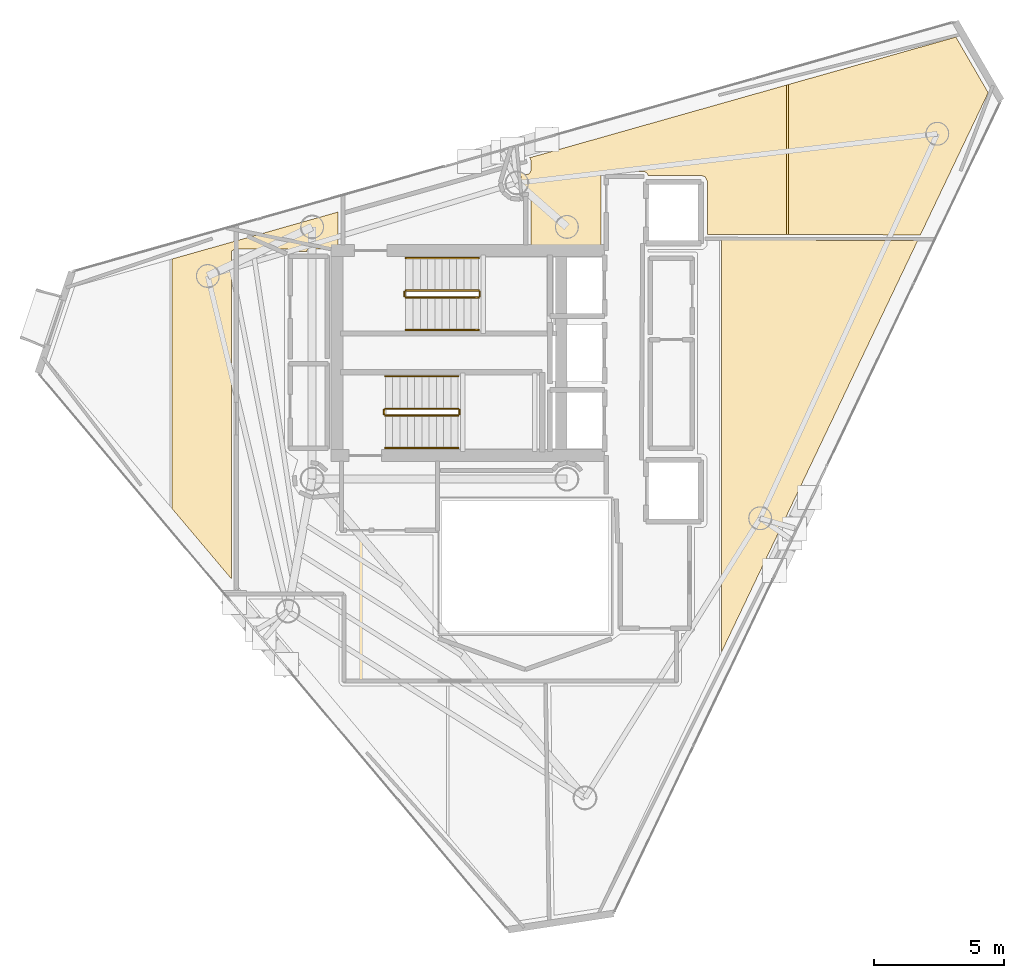
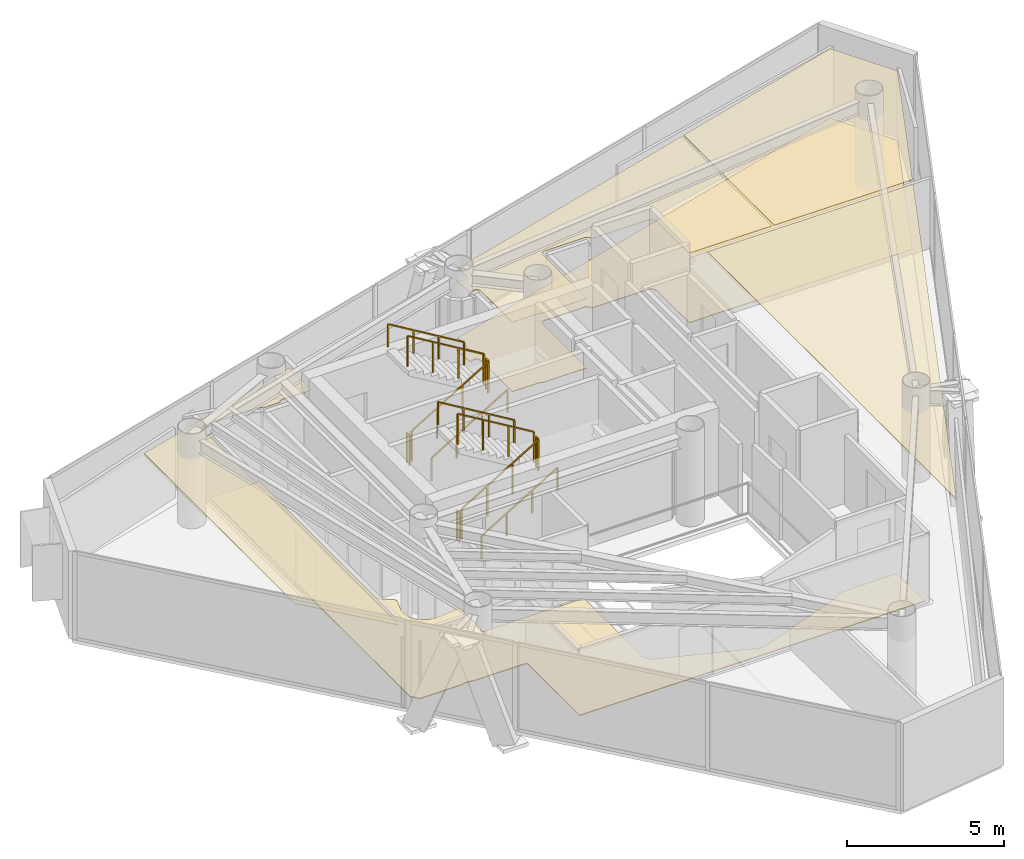
# One storey, part 20 of 20: 12 railings, 6 coverings.
"""IFC4 building model written with IfcOpenShell, lengths in metres."""

import ifcopenshell
import ifcopenshell.guid

model = None  # the IFC model being written
_history = None  # IfcOwnerHistory: only IFC2X3 demands one
_inside = {}  # id of a spatial element -> (the spatial element, [elements in it])
_under = {}  # id of a project, library or spatial element -> (it, [spatial elements below it])
_declared = {}  # id of a project -> (the project, [libraries it declares])
_typed = {}  # id of a type object -> (the type object, [elements of that type])
_made_of = {}  # id of a material, layer set ... -> (it, [elements and type objects made of it])


def new_model(schema):
    """Start an empty IFC model of exactly this schema.

    Asked for "IFC4X3", IfcOpenShell would pick the latest addendum, in which some entities
    have other attributes; the version numbers below select the first issue.
    IFC2X3 requires an IfcOwnerHistory on every rooted entity: one is made here for all.
    """
    global model, _history
    if schema == "IFC4X3":
        model = ifcopenshell.file(schema_version=(4, 3, 0, 0))
    else:
        model = ifcopenshell.file(schema=schema)
    _inside.clear()
    _under.clear()
    _declared.clear()
    _typed.clear()
    _made_of.clear()
    _history = None
    if model.schema == "IFC2X3":
        org = make("IfcOrganization", Name="unknown")
        user = make(
            "IfcPersonAndOrganization",
            ThePerson=make("IfcPerson", FamilyName="unknown"),
            TheOrganization=org,
        )
        app = make(
            "IfcApplication",
            ApplicationDeveloper=org,
            Version="unknown",
            ApplicationFullName="unknown",
            ApplicationIdentifier="unknown",
        )
        _history = make(
            "IfcOwnerHistory",
            OwningUser=user,
            OwningApplication=app,
            ChangeAction="ADDED",
            CreationDate=0,
        )
    return model


def make(cls, **values):
    """One entity of the class cls with the attributes given. An attribute that is None is left unset."""
    return model.create_entity(
        cls, **{name: value for name, value in values.items() if value is not None}
    )


def rooted(cls, **values):
    """An entity with a GlobalId (a new one), such as an element, a storey or a relation."""
    return make(cls, GlobalId=ifcopenshell.guid.new(), OwnerHistory=_history, **values)


def si_unit(unit_type, name, prefix=None):
    """IfcSIUnit, for example si_unit("LENGTHUNIT", "METRE", prefix="MILLI")."""
    return make("IfcSIUnit", UnitType=unit_type, Prefix=prefix, Name=name)


def assignment(units):
    """IfcUnitAssignment: the units of a project."""
    return None if units is None else make("IfcUnitAssignment", Units=units)


def point(xyz):
    """IfcCartesianPoint."""
    return None if xyz is None else make("IfcCartesianPoint", Coordinates=xyz)


def direction(xyz):
    """IfcDirection."""
    return None if xyz is None else make("IfcDirection", DirectionRatios=xyz)


def frame(location, z_axis=None, x_axis=None):
    """IfcAxis2Placement3D, a coordinate frame: its origin and axes. An axis left out is left unset."""
    return make(
        "IfcAxis2Placement3D",
        Location=point(location),
        Axis=direction(z_axis),
        RefDirection=direction(x_axis),
    )


def frame_2d(location, x_axis=None):
    """IfcAxis2Placement2D, a coordinate frame in the plane: its origin and x axis."""
    return make(
        "IfcAxis2Placement2D", Location=point(location), RefDirection=direction(x_axis)
    )


def origin():
    """The frame at (0, 0, 0) with its axes left unset."""
    return frame((0.0, 0.0, 0.0))


def origin_2d():
    """The frame at (0, 0) in the plane with its x axis left unset."""
    return frame_2d((0.0, 0.0))


def place(relative_to, where):
    """IfcLocalPlacement: puts the frame where relative to a parent placement (None: the world)."""
    return make(
        "IfcLocalPlacement", PlacementRelTo=relative_to, RelativePlacement=where
    )


def context(
    kind, dimensions, precision=None, world=None, true_north=None, identifier=None
):
    """IfcGeometricRepresentationContext, for example the 3D "Model" context."""
    return make(
        "IfcGeometricRepresentationContext",
        ContextIdentifier=identifier,
        ContextType=kind,
        CoordinateSpaceDimension=dimensions,
        Precision=precision,
        WorldCoordinateSystem=world,
        TrueNorth=true_north,
    )


def subcontext(parent, identifier, kind, view, scale=None):
    """IfcGeometricRepresentationSubContext, for example "Body" below "Model"."""
    return make(
        "IfcGeometricRepresentationSubContext",
        ContextIdentifier=identifier,
        ContextType=kind,
        ParentContext=parent,
        TargetScale=scale,
        TargetView=view,
    )


def project(units=None, contexts=None):
    """IfcProject with its units and contexts."""
    return rooted(
        "IfcProject",
        Name="project",
        RepresentationContexts=contexts,
        UnitsInContext=assignment(units),
    )


def spatial(cls, under=None, at=None, **own):
    """A site, building, storey or space (cls), placed at a placement, below another one or the project."""
    s = rooted(cls, ObjectPlacement=at, **own)
    if under is not None:
        _under.setdefault(under.id(), (under, []))[1].append(s)
    return s


def polyline(points):
    """IfcPolyline through the points."""
    return make("IfcPolyline", Points=[point(p) for p in points])


def profile(cls, at=None, kind="AREA", **sizes):
    """A parametric profile (cls). Its sizes go by their IFC names, for example OverallWidth=200.0."""
    return make(cls, ProfileType=kind, Position=at, **sizes)


def rectangle(**sizes):
    """IfcRectangleProfileDef."""
    return profile("IfcRectangleProfileDef", **sizes)


def outline(outer, holes=None, kind="AREA"):
    """IfcArbitraryClosedProfileDef: a profile drawn as a closed curve; with holes, ...WithVoids."""
    if holes is None:
        return make("IfcArbitraryClosedProfileDef", ProfileType=kind, OuterCurve=outer)
    return make(
        "IfcArbitraryProfileDefWithVoids",
        ProfileType=kind,
        OuterCurve=outer,
        InnerCurves=holes,
    )


def extrude(swept, where, along, depth):
    """IfcExtrudedAreaSolid: the profile swept, set in the frame where, extruded along a direction by depth."""
    return make(
        "IfcExtrudedAreaSolid",
        SweptArea=swept,
        Position=where,
        ExtrudedDirection=direction(along),
        Depth=depth,
    )


def shape(context_of_items, identifier, shape_type, items):
    """IfcShapeRepresentation: the items that make up one representation, for example the "Body"."""
    return make(
        "IfcShapeRepresentation",
        ContextOfItems=context_of_items,
        RepresentationIdentifier=identifier,
        RepresentationType=shape_type,
        Items=items,
    )


def material(Name=None, Category=None):
    """IfcMaterial."""
    return make("IfcMaterial", Name=Name, Category=Category)


def layer(
    of_material, thickness, ventilated=None, Name=None, Category=None, Priority=None
):
    """IfcMaterialLayer: one layer of a wall or slab, of a material (None: an air gap)."""
    return make(
        "IfcMaterialLayer",
        Material=of_material,
        LayerThickness=thickness,
        IsVentilated=ventilated,
        Name=Name,
        Category=Category,
        Priority=Priority,
    )


def layer_set(layers, Name=None):
    """IfcMaterialLayerSet."""
    return make("IfcMaterialLayerSet", MaterialLayers=layers, LayerSetName=Name)


def made_of(thing, what):
    """Note that an element or type object is made of a material, layer set ...; save() writes the relation."""
    if what is not None:
        _made_of.setdefault(what.id(), (what, []))[1].append(thing)
    return thing


def type_object(cls, material=None, **own):
    """A type object (cls), such as IfcWallType, which elements share."""
    return made_of(rooted(cls, **own), material)


def element(
    cls,
    number,
    at=None,
    inside=None,
    cuts=None,
    type_object=None,
    material=None,
    context=None,
    identifier="Body",
    shape_type=None,
    held_by="IfcProductDefinitionShape",
    body=None,
    shapes=None,
    **own,
):
    """One element of the class cls, such as IfcWall. Its Tag is "e" and its number.

    at: its placement. inside: the storey or other place that contains it. cuts: it is an
    opening in that element (IfcRelVoidsElement). A single representation is given by context,
    identifier, shape_type and body (its items); several are given by shapes. held_by: the class
    of the entity that holds the representations. save() writes the other relations.
    """
    e = rooted(cls, Tag="e%d" % number, ObjectPlacement=at, **own)
    if body is not None:
        shapes = [shape(context, identifier, shape_type, body)]
    if shapes is not None:
        e.Representation = make(held_by, Representations=shapes)
    if inside is not None:
        _inside.setdefault(inside.id(), (inside, []))[1].append(e)
    if cuts is not None:
        rooted(
            "IfcRelVoidsElement", RelatingBuildingElement=cuts, RelatedOpeningElement=e
        )
    if type_object is not None:
        _typed.setdefault(type_object.id(), (type_object, []))[1].append(e)
    return made_of(e, material)


def aggregate(whole, parts):
    """IfcRelAggregates: a whole, such as a stair, and the parts it consists of."""
    return rooted("IfcRelAggregates", RelatingObject=whole, RelatedObjects=parts)


def save(model, path):
    """Write the relations noted so far, then the file.

    IfcRelAggregates (storeys below a building ...), IfcRelContainedInSpatialStructure (elements
    in a storey), IfcRelDefinesByType, IfcRelAssociatesMaterial and IfcRelDeclares: one each for
    every whole, place, type object, material and project.
    """
    for whole, parts in _under.values():
        aggregate(whole, parts)
    for where, things in _inside.values():
        rooted(
            "IfcRelContainedInSpatialStructure",
            RelatedElements=things,
            RelatingStructure=where,
        )
    for kind, things in _typed.values():
        rooted("IfcRelDefinesByType", RelatedObjects=things, RelatingType=kind)
    for what, things in _made_of.values():
        rooted("IfcRelAssociatesMaterial", RelatedObjects=things, RelatingMaterial=what)
    for by, libraries in _declared.values():
        rooted("IfcRelDeclares", RelatingContext=by, RelatedDefinitions=libraries)
    model.write(path)


model = new_model("IFC4")

# Units and contexts
model_context = context("Model", 3, precision=1e-05, world=origin(), true_north=direction((0.0, 1.0)))
body_context = subcontext(model_context, "Body", "Model", "MODEL_VIEW")
ifc_project = project(units=[si_unit("LENGTHUNIT", "METRE"), si_unit("AREAUNIT", "SQUARE_METRE"), si_unit("VOLUMEUNIT", "CUBIC_METRE"), si_unit("PLANEANGLEUNIT", "RADIAN"), si_unit("MASSUNIT", "GRAM", prefix="KILO")], contexts=[model_context])

# Site, building, storey
site_placement = place(None, origin())
site = spatial("IfcSite", under=ifc_project, at=site_placement, CompositionType="ELEMENT")
building_placement = place(site_placement, origin())
building = spatial("IfcBuilding", under=site, at=building_placement, Name="Qianvela Tower", CompositionType="ELEMENT")
storey_placement = place(building_placement, frame((0.0, 0.0, 317.60009765625)))
storey = spatial("IfcBuildingStorey", under=building, at=storey_placement, Name="L82", CompositionType="ELEMENT", Elevation=317.60009765625)

# Coverings
ifc_material_1 = material(Name="Perforated Mineral Acoustic Ceiling Tile")
ifc_layer_1 = layer(ifc_material_1, 0.02490234375)
ifc_layer_set_1 = layer_set([ifc_layer_1], Name="Perforated Mineral Acoustic Ceiling Tile")
covering_type_1 = type_object("IfcCoveringType", Name="COV-CEIL-ACOUSTIC-25", PredefinedType="CEILING", material=ifc_layer_set_1)
covering_1_placement = place(storey_placement, frame((0.0, 0.0, 2.69482421875)))
element("IfcCovering", 1, at=covering_1_placement, inside=storey, type_object=covering_type_1, Name="L82 Acoustic Ceiling Bay 2 Project Huddle Conference L82-02", PredefinedType="CEILING", context=body_context, shape_type="SweptSolid", body=[
    extrude(outline(polyline([(51.89599609375, 33.02978515625), (44.346435546875, 17.192138671875), (44.346435546875, 33.0458984375), (51.89599609375, 33.02978515625)])), origin(), (0.0, 0.0, 1.0), 0.025146484375),
])
covering_2_placement = place(storey_placement, frame((0.0, 0.0, 2.69482421875)))
element("IfcCovering", 2, at=covering_2_placement, inside=storey, type_object=covering_type_1, Name="L82 Acoustic Ceiling Bay 2 Social Sitting Lounge L82-03", PredefinedType="CEILING", context=body_context, shape_type="SweptSolid", body=[
    extrude(outline(polyline([(29.603515625, 34.115966796875), (29.59033203125, 32.7275390625), (29.552978515625, 32.7001953125), (28.54296875, 32.709716796875), (28.53662109375, 32.70947265625), (28.530029296875, 32.708740234375), (28.4677734375, 32.69921875), (28.460205078125, 32.697509765625), (28.452880859375, 32.6953125), (28.446044921875, 32.6923828125), (28.439208984375, 32.688720703125), (28.432861328125, 32.6845703125), (28.427001953125, 32.6796875), (28.42138671875, 32.674560546875), (28.41650390625, 32.668701171875), (28.412109375, 32.662353515625), (28.408447265625, 32.65576171875), (28.405517578125, 32.648681640625), (28.403076171875, 32.6416015625), (28.4013671875, 32.634033203125), (28.400390625, 32.62646484375), (28.39892578125, 32.609619140625), (27.7626953125, 32.607666015625), (27.759521484375, 32.6201171875), (27.757080078125, 32.62744140625), (27.754150390625, 32.634765625), (27.75048828125, 32.6416015625), (27.74609375, 32.648193359375), (27.7412109375, 32.654296875), (27.735595703125, 32.659912109375), (27.7294921875, 32.6650390625), (27.722900390625, 32.66943359375), (27.716064453125, 32.673095703125), (27.654296875, 32.702392578125), (27.647705078125, 32.705078125), (27.64111328125, 32.707275390625), (27.634033203125, 32.708740234375), (27.627197265625, 32.709716796875), (27.6201171875, 32.7099609375), (25.64990234375, 32.7099609375), (25.642578125, 32.709716796875), (25.635498046875, 32.708740234375), (25.62841796875, 32.70703125), (25.62158203125, 32.70458984375), (25.61474609375, 32.701904296875), (25.6083984375, 32.6982421875), (25.602294921875, 32.6943359375), (25.52587890625, 32.637451171875), (25.519287109375, 32.632080078125), (25.513671875, 32.626220703125), (25.50830078125, 32.619873046875), (25.50390625, 32.61279296875), (25.500244140625, 32.60546875), (25.497314453125, 32.59765625), (25.4951171875, 32.589599609375), (25.493896484375, 32.58154296875), (25.493408203125, 32.5732421875), (25.489990234375, 20.01806640625), (23.212890625, 22.71630859375), (23.212890625, 32.3173828125), (29.59619140625, 34.12451171875), (29.603515625, 34.115966796875)])), origin(), (0.0, 0.0, 1.0), 0.025146484375),
])
covering_3_placement = place(storey_placement, frame((0.0, 0.0, 2.69482421875)))
element("IfcCovering", 3, at=covering_3_placement, inside=storey, type_object=covering_type_1, Name="L82 Acoustic Ceiling Bay 1 Commons Day Lounge L82-04", PredefinedType="CEILING", context=body_context, shape_type="SweptSolid", body=[
    extrude(outline(polyline([(46.842041015625, 39.0068359375), (46.842041015625, 33.26025390625), (43.800048828125, 33.268798828125), (43.800048828125, 35.300048828125), (43.799560546875, 35.307861328125), (43.798583984375, 35.315673828125), (43.796630859375, 35.3232421875), (43.7939453125, 35.33056640625), (43.79052734375, 35.337646484375), (43.728271484375, 35.4541015625), (43.724365234375, 35.4609375), (43.719482421875, 35.46728515625), (43.71435546875, 35.472900390625), (43.70849609375, 35.478271484375), (43.7021484375, 35.48291015625), (43.695556640625, 35.487060546875), (43.6884765625, 35.490234375), (43.680908203125, 35.492919921875), (43.603271484375, 35.5166015625), (43.595703125, 35.5185546875), (43.587890625, 35.51953125), (43.580078125, 35.52001953125), (41.515625, 35.52001953125), (41.513916015625, 35.554931640625), (41.512939453125, 35.562744140625), (41.511474609375, 35.5703125), (41.509033203125, 35.577880859375), (41.506103515625, 35.585205078125), (41.50244140625, 35.591796875), (41.498046875, 35.598388671875), (41.4931640625, 35.6044921875), (41.487548828125, 35.60986328125), (41.481689453125, 35.614990234375), (41.41552734375, 35.663818359375), (41.408447265625, 35.668701171875), (41.40087890625, 35.672607421875), (41.392822265625, 35.675537109375), (41.384765625, 35.677734375), (41.37646484375, 35.67919921875), (41.367919921875, 35.6796875), (39.8798828125, 35.679931640625), (39.872314453125, 35.6796875), (39.864501953125, 35.678466796875), (39.856689453125, 35.676513671875), (39.849365234375, 35.673828125), (39.792724609375, 35.650390625), (39.78564453125, 35.647216796875), (39.779052734375, 35.64306640625), (39.772705078125, 35.638427734375), (39.766845703125, 35.633056640625), (39.76171875, 35.627197265625), (39.7568359375, 35.62109375), (39.7529296875, 35.6142578125), (39.74951171875, 35.607177734375), (39.72607421875, 35.550537109375), (39.723388671875, 35.543212890625), (39.721435546875, 35.53564453125), (39.720458984375, 35.52783203125), (39.719970703125, 35.52001953125), (39.719970703125, 32.719970703125), (38.125, 32.719970703125), (38.03369140625, 32.762451171875), (38.025634765625, 32.765625), (38.017333984375, 32.76806640625), (38.0087890625, 32.76953125), (38.0, 32.77001953125), (37.010009765625, 32.77001953125), (37.009521484375, 34.772705078125), (37.00927734375, 34.78076171875), (37.008056640625, 34.78857421875), (37.006103515625, 34.79638671875), (37.003173828125, 34.803955078125), (36.999755859375, 34.811279296875), (36.969482421875, 34.865966796875), (36.965576171875, 34.87255859375), (36.961181640625, 34.87841796875), (36.9560546875, 34.884033203125), (36.950439453125, 34.88916015625), (36.9443359375, 34.893798828125), (36.93798828125, 34.897705078125), (36.93115234375, 34.90087890625), (36.92431640625, 34.903564453125), (36.87158203125, 34.920654296875), (36.8642578125, 34.922607421875), (36.8564453125, 34.924072265625), (36.8486328125, 34.924560546875), (36.8408203125, 34.92431640625), (36.8330078125, 34.92333984375), (36.825439453125, 34.921630859375), (36.818115234375, 34.919189453125), (36.684814453125, 34.8671875), (36.611083984375, 35.656982421875), (36.78955078125, 35.573486328125), (36.79638671875, 35.57080078125), (36.803466796875, 35.568603515625), (36.810791015625, 35.56689453125), (36.818115234375, 35.566162109375), (36.82568359375, 35.56591796875), (36.8330078125, 35.56640625), (36.84033203125, 35.56787109375), (36.922607421875, 35.585693359375), (36.93017578125, 35.587646484375), (36.937744140625, 35.590576171875), (36.94482421875, 35.59423828125), (36.95166015625, 35.598388671875), (36.9580078125, 35.603515625), (36.9638671875, 35.60888671875), (36.968994140625, 35.614990234375), (36.9736328125, 35.621826171875), (36.9775390625, 35.62890625), (37.001708984375, 35.678466796875), (37.00439453125, 35.68505859375), (37.006591796875, 35.69189453125), (37.00830078125, 35.698974609375), (37.00927734375, 35.7060546875), (37.009521484375, 35.71337890625), (37.009521484375, 36.118408203125), (37.00927734375, 36.1259765625), (37.008056640625, 36.1337890625), (37.006103515625, 36.141357421875), (37.003662109375, 36.148681640625), (37.00048828125, 36.155517578125), (36.971923828125, 36.209228515625), (36.97021484375, 36.212158203125), (46.842041015625, 39.0068359375)])), origin(), (0.0, 0.0, 1.0), 0.025146484375),
])
covering_4_placement = place(storey_placement, frame((0.0, 0.0, 2.69482421875)))
element("IfcCovering", 4, at=covering_4_placement, inside=storey, type_object=covering_type_1, Name="L82 Acoustic Ceiling Bay 2 Commons Day Lounge L82-04", PredefinedType="CEILING", context=body_context, shape_type="SweptSolid", body=[
    extrude(outline(polyline([(53.362548828125, 40.852783203125), (54.60498046875, 38.712646484375), (51.9990234375, 33.24560546875), (46.922119140625, 33.260009765625), (46.922119140625, 39.029541015625), (53.362548828125, 40.852783203125)])), origin(), (0.0, 0.0, 1.0), 0.025146484375),
])
ifc_material_2 = material(Name="Engineered Acoustic Oak Timber Flooring", Category="wood")
ifc_layer_2 = layer(ifc_material_2, 0.02001953125)
ifc_layer_set_2 = layer_set([ifc_layer_2], Name="Engineered Acoustic Oak Timber Flooring")
covering_type_2 = type_object("IfcCoveringType", Name="COV-FLOOR-OAK-20", PredefinedType="FLOORING", material=ifc_layer_set_2)
covering_5_placement = place(storey_placement, origin())
element("IfcCovering", 5, at=covering_5_placement, inside=storey, type_object=covering_type_2, Name="L82 Finish Flooring Commons Day Lounge L82-04", PredefinedType="FLOORING", context=body_context, shape_type="SweptSolid", body=[
    extrude(outline(polyline([(36.97021484375, 36.212158203125), (53.362548828125, 40.852783203125), (54.60498046875, 38.712646484375), (51.9990234375, 33.24560546875), (43.800048828125, 33.268798828125), (43.800048828125, 35.300048828125), (43.799560546875, 35.307861328125), (43.798583984375, 35.315673828125), (43.796630859375, 35.3232421875), (43.7939453125, 35.33056640625), (43.79052734375, 35.337646484375), (43.728271484375, 35.4541015625), (43.724365234375, 35.4609375), (43.719482421875, 35.46728515625), (43.71435546875, 35.472900390625), (43.70849609375, 35.478271484375), (43.7021484375, 35.48291015625), (43.695556640625, 35.487060546875), (43.6884765625, 35.490234375), (43.680908203125, 35.492919921875), (43.603271484375, 35.5166015625), (43.595703125, 35.5185546875), (43.587890625, 35.51953125), (43.580078125, 35.52001953125), (41.515625, 35.52001953125), (41.513916015625, 35.554931640625), (41.512939453125, 35.562744140625), (41.511474609375, 35.5703125), (41.509033203125, 35.577880859375), (41.506103515625, 35.585205078125), (41.50244140625, 35.591796875), (41.498046875, 35.598388671875), (41.4931640625, 35.6044921875), (41.487548828125, 35.60986328125), (41.481689453125, 35.614990234375), (41.41552734375, 35.663818359375), (41.408447265625, 35.668701171875), (41.40087890625, 35.672607421875), (41.392822265625, 35.675537109375), (41.384765625, 35.677734375), (41.37646484375, 35.67919921875), (41.367919921875, 35.6796875), (39.8798828125, 35.679931640625), (39.872314453125, 35.6796875), (39.864501953125, 35.678466796875), (39.856689453125, 35.676513671875), (39.849365234375, 35.673828125), (39.792724609375, 35.650390625), (39.78564453125, 35.647216796875), (39.779052734375, 35.64306640625), (39.772705078125, 35.638427734375), (39.766845703125, 35.633056640625), (39.76171875, 35.627197265625), (39.7568359375, 35.62109375), (39.7529296875, 35.6142578125), (39.74951171875, 35.607177734375), (39.72607421875, 35.550537109375), (39.723388671875, 35.543212890625), (39.721435546875, 35.53564453125), (39.720458984375, 35.52783203125), (39.719970703125, 35.52001953125), (39.719970703125, 32.719970703125), (38.125, 32.719970703125), (38.03369140625, 32.762451171875), (38.025634765625, 32.765625), (38.017333984375, 32.76806640625), (38.0087890625, 32.76953125), (38.0, 32.77001953125), (37.010009765625, 32.77001953125), (37.009521484375, 34.772705078125), (37.00927734375, 34.78076171875), (37.008056640625, 34.78857421875), (37.006103515625, 34.79638671875), (37.003173828125, 34.803955078125), (36.999755859375, 34.811279296875), (36.969482421875, 34.865966796875), (36.965576171875, 34.87255859375), (36.961181640625, 34.87841796875), (36.9560546875, 34.884033203125), (36.950439453125, 34.88916015625), (36.9443359375, 34.893798828125), (36.93798828125, 34.897705078125), (36.93115234375, 34.90087890625), (36.92431640625, 34.903564453125), (36.87158203125, 34.920654296875), (36.8642578125, 34.922607421875), (36.8564453125, 34.924072265625), (36.8486328125, 34.924560546875), (36.8408203125, 34.92431640625), (36.8330078125, 34.92333984375), (36.825439453125, 34.921630859375), (36.818115234375, 34.919189453125), (36.684814453125, 34.8671875), (36.611083984375, 35.656982421875), (36.78955078125, 35.573486328125), (36.79638671875, 35.57080078125), (36.803466796875, 35.568603515625), (36.810791015625, 35.56689453125), (36.818115234375, 35.566162109375), (36.82568359375, 35.56591796875), (36.8330078125, 35.56640625), (36.84033203125, 35.56787109375), (36.922607421875, 35.585693359375), (36.93017578125, 35.587646484375), (36.937744140625, 35.590576171875), (36.94482421875, 35.59423828125), (36.95166015625, 35.598388671875), (36.9580078125, 35.603515625), (36.9638671875, 35.60888671875), (36.968994140625, 35.614990234375), (36.9736328125, 35.621826171875), (36.9775390625, 35.62890625), (37.001708984375, 35.678466796875), (37.00439453125, 35.68505859375), (37.006591796875, 35.69189453125), (37.00830078125, 35.698974609375), (37.00927734375, 35.7060546875), (37.009521484375, 35.71337890625), (37.009521484375, 36.118408203125), (37.00927734375, 36.1259765625), (37.008056640625, 36.1337890625), (37.006103515625, 36.141357421875), (37.003662109375, 36.148681640625), (37.00048828125, 36.155517578125), (36.971923828125, 36.209228515625), (36.97021484375, 36.212158203125)])), origin(), (0.0, 0.0, 1.0), 0.02001953125),
])
ifc_material_3 = material(Name="Honed Stone Terrazzo Flooring", Category="masonry")
ifc_layer_3 = layer(ifc_material_3, 0.030029296875)
ifc_layer_set_3 = layer_set([ifc_layer_3], Name="Honed Stone Terrazzo Flooring")
covering_type_3 = type_object("IfcCoveringType", Name="COV-FLOOR-TERRAZZO-30", PredefinedType="FLOORING", material=ifc_layer_set_3)
covering_6_placement = place(storey_placement, origin())
element("IfcCovering", 6, at=covering_6_placement, inside=storey, type_object=covering_type_3, Name="L82 Finish Flooring L82 Floor Corridor", PredefinedType="FLOORING", context=body_context, shape_type="SweptSolid", body=[
    extrude(outline(polyline([(25.72998046875, 32.469970703125), (27.5400390625, 32.469970703125), (27.5400390625, 25.04638671875), (27.540283203125, 25.038818359375), (27.54150390625, 25.03125), (27.543212890625, 25.023681640625), (27.545654296875, 25.0166015625), (27.548828125, 25.009765625), (27.552734375, 25.003173828125), (27.61328125, 24.90869140625), (27.61767578125, 24.90283203125), (27.622314453125, 24.8974609375), (27.62744140625, 24.892333984375), (27.633056640625, 24.8876953125), (28.042236328125, 24.584228515625), (27.8662109375, 24.00390625), (27.864501953125, 23.996337890625), (27.86328125, 23.988525390625), (27.850341796875, 23.85791015625), (27.85009765625, 23.85009765625), (27.850341796875, 23.84228515625), (27.8515625, 23.83447265625), (27.902587890625, 23.577880859375), (27.904296875, 23.5703125), (27.906982421875, 23.56298828125), (27.910400390625, 23.555908203125), (27.91455078125, 23.54931640625), (28.059814453125, 23.331787109375), (28.064453125, 23.325439453125), (28.069580078125, 23.319580078125), (28.075439453125, 23.314453125), (28.081787109375, 23.309814453125), (28.29931640625, 23.16455078125), (28.305908203125, 23.160400390625), (28.31298828125, 23.156982421875), (28.3203125, 23.154296875), (28.327880859375, 23.152587890625), (28.58447265625, 23.1015625), (28.59228515625, 23.100341796875), (28.60009765625, 23.10009765625), (28.60791015625, 23.100341796875), (29.55810546875, 23.194091796875), (29.55810546875, 21.877685546875), (29.52001953125, 21.82958984375), (29.515380859375, 21.822998046875), (29.51171875, 21.81640625), (29.508544921875, 21.809326171875), (29.506103515625, 21.802001953125), (29.504150390625, 21.794189453125), (29.503173828125, 21.78662109375), (29.5029296875, 21.77880859375), (29.50341796875, 21.77099609375), (29.504638671875, 21.763427734375), (29.506591796875, 21.755859375), (29.50927734375, 21.74853515625), (29.5126953125, 21.74169921875), (29.516845703125, 21.735107421875), (29.521484375, 21.728759765625), (29.52685546875, 21.722900390625), (29.53271484375, 21.7177734375), (29.538818359375, 21.713134765625), (29.54541015625, 21.709228515625), (29.552490234375, 21.7060546875), (29.559814453125, 21.703369140625), (29.5673828125, 21.701416015625), (29.5751953125, 21.700439453125), (29.5830078125, 21.699951171875), (33.239990234375, 21.699951171875), (33.239990234375, 18.0), (33.240478515625, 17.990234375), (33.242431640625, 17.980712890625), (33.275390625, 17.8486328125), (33.277587890625, 17.841796875), (33.2802734375, 17.8349609375), (33.283447265625, 17.82861328125), (33.287353515625, 17.822509765625), (33.29150390625, 17.81689453125), (33.29638671875, 17.811279296875), (33.411376953125, 17.696533203125), (33.41796875, 17.690673828125), (33.42529296875, 17.685546875), (33.432861328125, 17.68115234375), (33.44091796875, 17.677734375), (36.77294921875, 16.482666015625), (36.780517578125, 16.48046875), (36.7880859375, 16.47900390625), (36.7958984375, 16.47802734375), (36.803955078125, 16.47802734375), (36.811767578125, 16.47900390625), (36.8193359375, 16.48046875), (36.826904296875, 16.482666015625), (40.134033203125, 17.666015625), (40.140869140625, 17.668701171875), (40.1474609375, 17.672119140625), (40.153564453125, 17.676025390625), (40.458740234375, 17.89306640625), (42.570068359375, 17.899658203125), (42.570068359375, 16.1298828125), (29.8798828125, 16.1298828125), (29.8798828125, 19.39990234375), (29.879638671875, 19.40771484375), (29.87841796875, 19.41552734375), (29.876708984375, 19.423095703125), (29.873779296875, 19.4306640625), (29.87060546875, 19.437744140625), (29.866455078125, 19.4443359375), (29.86181640625, 19.45068359375), (29.856689453125, 19.45654296875), (29.850830078125, 19.4619140625), (29.844482421875, 19.466552734375), (29.837646484375, 19.470703125), (29.83056640625, 19.473876953125), (29.8232421875, 19.4765625), (29.815673828125, 19.478515625), (29.807861328125, 19.4794921875), (29.800048828125, 19.47998046875), (27.910888671875, 19.47998046875), (27.684814453125, 19.522705078125), (27.677490234375, 19.523681640625), (27.669921875, 19.52392578125), (27.66259765625, 19.523681640625), (27.6552734375, 19.522705078125), (27.42919921875, 19.47998046875), (25.944091796875, 19.47998046875), (25.72998046875, 19.733642578125), (25.72998046875, 32.469970703125)])), origin(), (0.0, 0.0, 1.0), 0.02978515625),
])

# Railings
ifc_material_4 = material(Name="Painted Tubular Steel Q355B", Category="steel")
railing_type_1 = type_object("IfcRailingType", Name="RL-STAIR-GUARD-1200", PredefinedType="GUARDRAIL", material=ifc_material_4)
railing_1_placement = place(storey_placement, frame((32.199951171875, 30.840087890625, 0.16796875)))
element("IfcRailing", 7, at=railing_1_placement, inside=storey, type_object=railing_type_1, Name="L82 ST-1 stair guard 1", PredefinedType="GUARDRAIL", context=body_context, shape_type="SweptSolid", body=[
    extrude(rectangle(XDim=0.050048828125, YDim=0.0400390625, at=origin_2d()), frame((0.0, 0.0, 1.179931640625), z_axis=(0.857242210791, 0.0, 0.514913383045), x_axis=(0.0, 1.0, 0.0)), (0.0, 0.0, 1.0), 3.266357421875),
    extrude(rectangle(XDim=0.050048828125, YDim=0.050048828125, at=origin_2d()), origin(), (0.0, 0.0, 1.0), 1.159912109375),
    extrude(rectangle(XDim=0.050048828125, YDim=0.050048828125, at=origin_2d()), frame((0.933349609375, 0.0, 0.560546875)), (0.0, 0.0, 1.0), 1.159912109375),
    extrude(rectangle(XDim=0.050048828125, YDim=0.050048828125, at=origin_2d()), frame((1.86669921875, 0.0, 1.121337890625)), (0.0, 0.0, 1.0), 1.159912109375),
    extrude(rectangle(XDim=0.050048828125, YDim=0.050048828125, at=origin_2d()), frame((2.800048828125, 0.0, 1.681884765625)), (0.0, 0.0, 1.0), 1.159912109375),
])
railing_2_placement = place(storey_placement, frame((35.050048828125, 30.889892578125, 1.849853515625)))
element("IfcRailing", 8, at=railing_2_placement, inside=storey, type_object=railing_type_1, Name="L82 ST-1 stair guard 2", PredefinedType="GUARDRAIL", context=body_context, shape_type="SweptSolid", body=[
    extrude(rectangle(XDim=0.050048828125, YDim=0.0400390625, at=origin_2d()), frame((0.0, 0.0, 1.179931640625), z_axis=(0.0, 1.0, 0.0), x_axis=(-1.0, 0.0, 0.0)), (0.0, 0.0, 1.0), 0.16015625),
    extrude(rectangle(XDim=0.050048828125, YDim=0.050048828125, at=origin_2d()), origin(), (0.0, 0.0, 1.0), 1.159912109375),
    extrude(rectangle(XDim=0.050048828125, YDim=0.050048828125, at=origin_2d()), frame((0.0, 0.16015625, 0.0)), (0.0, 0.0, 1.0), 1.159912109375),
])
railing_3_placement = place(storey_placement, frame((35.0, 31.10009765625, 2.01806640625)))
element("IfcRailing", 9, at=railing_3_placement, inside=storey, type_object=railing_type_1, Name="L82 ST-1 stair guard 3", PredefinedType="GUARDRAIL", context=body_context, shape_type="SweptSolid", body=[
    extrude(rectangle(XDim=0.050048828125, YDim=0.0400390625, at=origin_2d()), frame((0.0, 0.0, 1.179931640625), z_axis=(-0.857242210791, 0.0, 0.514913383045), x_axis=(0.0, -1.0, 0.0)), (0.0, 0.0, 1.0), 3.266357421875),
    extrude(rectangle(XDim=0.050048828125, YDim=0.050048828125, at=origin_2d()), origin(), (0.0, 0.0, 1.0), 1.159912109375),
    extrude(rectangle(XDim=0.050048828125, YDim=0.050048828125, at=origin_2d()), frame((-0.933349609375, 0.0, 0.560546875)), (0.0, 0.0, 1.0), 1.159912109375),
    extrude(rectangle(XDim=0.050048828125, YDim=0.050048828125, at=origin_2d()), frame((-1.86669921875, 0.0, 1.121337890625)), (0.0, 0.0, 1.0), 1.159912109375),
    extrude(rectangle(XDim=0.050048828125, YDim=0.050048828125, at=origin_2d()), frame((-2.800048828125, 0.0, 1.681884765625)), (0.0, 0.0, 1.0), 1.159912109375),
])
railing_4_placement = place(storey_placement, frame((32.14990234375, 30.889892578125, 0.0)))
element("IfcRailing", 10, at=railing_4_placement, inside=storey, type_object=railing_type_1, Name="L82 ST-1 stair guard 4", PredefinedType="GUARDRAIL", context=body_context, shape_type="SweptSolid", body=[
    extrude(rectangle(XDim=0.050048828125, YDim=0.0400390625, at=origin_2d()), frame((0.0, 0.0, 1.179931640625), z_axis=(0.0, 1.0, 0.0), x_axis=(-1.0, 0.0, 0.0)), (0.0, 0.0, 1.0), 0.16015625),
    extrude(rectangle(XDim=0.050048828125, YDim=0.050048828125, at=origin_2d()), origin(), (0.0, 0.0, 1.0), 1.159912109375),
    extrude(rectangle(XDim=0.050048828125, YDim=0.050048828125, at=origin_2d()), frame((0.0, 0.16015625, 0.0)), (0.0, 0.0, 1.0), 1.159912109375),
])
railing_5_placement = place(storey_placement, frame((31.419921875, 26.300048828125, 0.16796875)))
element("IfcRailing", 11, at=railing_5_placement, inside=storey, type_object=railing_type_1, Name="L82 ST-2 stair guard 1", PredefinedType="GUARDRAIL", context=body_context, shape_type="SweptSolid", body=[
    extrude(rectangle(XDim=0.050048828125, YDim=0.0400390625, at=origin_2d()), frame((0.0, 0.0, 1.179931640625), z_axis=(0.857242210791, 0.0, 0.514913383045), x_axis=(0.0, 1.0, 0.0)), (0.0, 0.0, 1.0), 3.266357421875),
    extrude(rectangle(XDim=0.050048828125, YDim=0.050048828125, at=origin_2d()), origin(), (0.0, 0.0, 1.0), 1.159912109375),
    extrude(rectangle(XDim=0.050048828125, YDim=0.050048828125, at=origin_2d()), frame((0.933349609375, 0.0, 0.560546875)), (0.0, 0.0, 1.0), 1.159912109375),
    extrude(rectangle(XDim=0.050048828125, YDim=0.050048828125, at=origin_2d()), frame((1.86669921875, 0.0, 1.121337890625)), (0.0, 0.0, 1.0), 1.159912109375),
    extrude(rectangle(XDim=0.050048828125, YDim=0.050048828125, at=origin_2d()), frame((2.800048828125, 0.0, 1.681884765625)), (0.0, 0.0, 1.0), 1.159912109375),
])
railing_6_placement = place(storey_placement, frame((34.27001953125, 26.35009765625, 1.849853515625)))
element("IfcRailing", 12, at=railing_6_placement, inside=storey, type_object=railing_type_1, Name="L82 ST-2 stair guard 2", PredefinedType="GUARDRAIL", context=body_context, shape_type="SweptSolid", body=[
    extrude(rectangle(XDim=0.050048828125, YDim=0.0400390625, at=origin_2d()), frame((0.0, 0.0, 1.179931640625), z_axis=(0.0, 1.0, 0.0), x_axis=(-1.0, 0.0, 0.0)), (0.0, 0.0, 1.0), 0.159912109375),
    extrude(rectangle(XDim=0.050048828125, YDim=0.050048828125, at=origin_2d()), origin(), (0.0, 0.0, 1.0), 1.159912109375),
    extrude(rectangle(XDim=0.050048828125, YDim=0.050048828125, at=origin_2d()), frame((0.0, 0.159912109375, 0.0)), (0.0, 0.0, 1.0), 1.159912109375),
])
railing_7_placement = place(storey_placement, frame((34.219970703125, 26.56005859375, 2.01806640625)))
element("IfcRailing", 13, at=railing_7_placement, inside=storey, type_object=railing_type_1, Name="L82 ST-2 stair guard 3", PredefinedType="GUARDRAIL", context=body_context, shape_type="SweptSolid", body=[
    extrude(rectangle(XDim=0.050048828125, YDim=0.0400390625, at=origin_2d()), frame((0.0, 0.0, 1.179931640625), z_axis=(-0.857242210791, 0.0, 0.514913383045), x_axis=(0.0, -1.0, 0.0)), (0.0, 0.0, 1.0), 3.266357421875),
    extrude(rectangle(XDim=0.050048828125, YDim=0.050048828125, at=origin_2d()), origin(), (0.0, 0.0, 1.0), 1.159912109375),
    extrude(rectangle(XDim=0.050048828125, YDim=0.050048828125, at=origin_2d()), frame((-0.933349609375, 0.0, 0.560546875)), (0.0, 0.0, 1.0), 1.159912109375),
    extrude(rectangle(XDim=0.050048828125, YDim=0.050048828125, at=origin_2d()), frame((-1.86669921875, 0.0, 1.121337890625)), (0.0, 0.0, 1.0), 1.159912109375),
    extrude(rectangle(XDim=0.050048828125, YDim=0.050048828125, at=origin_2d()), frame((-2.800048828125, 0.0, 1.681884765625)), (0.0, 0.0, 1.0), 1.159912109375),
])
railing_8_placement = place(storey_placement, frame((31.3701171875, 26.35009765625, 0.0)))
element("IfcRailing", 14, at=railing_8_placement, inside=storey, type_object=railing_type_1, Name="L82 ST-2 stair guard 4", PredefinedType="GUARDRAIL", context=body_context, shape_type="SweptSolid", body=[
    extrude(rectangle(XDim=0.050048828125, YDim=0.0400390625, at=origin_2d()), frame((0.0, 0.0, 1.179931640625), z_axis=(0.0, 1.0, 0.0), x_axis=(-1.0, 0.0, 0.0)), (0.0, 0.0, 1.0), 0.159912109375),
    extrude(rectangle(XDim=0.050048828125, YDim=0.050048828125, at=origin_2d()), origin(), (0.0, 0.0, 1.0), 1.159912109375),
    extrude(rectangle(XDim=0.050048828125, YDim=0.050048828125, at=origin_2d()), frame((0.0, 0.159912109375, 0.0)), (0.0, 0.0, 1.0), 1.159912109375),
])
ifc_material_5 = material(Name="Brushed Stainless Steel 304", Category="steel")
railing_type_2 = type_object("IfcRailingType", Name="RL-STAIR-HANDRAIL-900", PredefinedType="HANDRAIL", material=ifc_material_5)
railing_9_placement = place(storey_placement, frame((32.199951171875, 29.590087890625, 0.16796875)))
element("IfcRailing", 15, at=railing_9_placement, inside=storey, type_object=railing_type_2, Name="L82 ST-1 stair handrail 1", PredefinedType="HANDRAIL", context=body_context, shape_type="SweptSolid", body=[
    extrude(rectangle(XDim=0.050048828125, YDim=0.0400390625, at=origin_2d()), frame((0.0, 0.0, 0.8798828125), z_axis=(0.857242210791, 0.0, 0.514913383045), x_axis=(0.0, 1.0, 0.0)), (0.0, 0.0, 1.0), 3.266357421875),
    extrude(rectangle(XDim=0.050048828125, YDim=0.050048828125, at=origin_2d()), origin(), (0.0, 0.0, 1.0), 0.85986328125),
    extrude(rectangle(XDim=0.050048828125, YDim=0.050048828125, at=origin_2d()), frame((0.933349609375, 0.0, 0.560546875)), (0.0, 0.0, 1.0), 0.85986328125),
    extrude(rectangle(XDim=0.050048828125, YDim=0.050048828125, at=origin_2d()), frame((1.86669921875, 0.0, 1.121337890625)), (0.0, 0.0, 1.0), 0.85986328125),
    extrude(rectangle(XDim=0.050048828125, YDim=0.050048828125, at=origin_2d()), frame((2.800048828125, 0.0, 1.681884765625)), (0.0, 0.0, 1.0), 0.85986328125),
])
railing_10_placement = place(storey_placement, frame((35.0, 32.35009765625, 2.01806640625)))
element("IfcRailing", 16, at=railing_10_placement, inside=storey, type_object=railing_type_2, Name="L82 ST-1 stair handrail 2", PredefinedType="HANDRAIL", context=body_context, shape_type="SweptSolid", body=[
    extrude(rectangle(XDim=0.050048828125, YDim=0.0400390625, at=origin_2d()), frame((0.0, 0.0, 0.8798828125), z_axis=(-0.857242210791, 0.0, 0.514913383045), x_axis=(0.0, -1.0, 0.0)), (0.0, 0.0, 1.0), 3.266357421875),
    extrude(rectangle(XDim=0.050048828125, YDim=0.050048828125, at=origin_2d()), origin(), (0.0, 0.0, 1.0), 0.85986328125),
    extrude(rectangle(XDim=0.050048828125, YDim=0.050048828125, at=origin_2d()), frame((-0.933349609375, 0.0, 0.560546875)), (0.0, 0.0, 1.0), 0.85986328125),
    extrude(rectangle(XDim=0.050048828125, YDim=0.050048828125, at=origin_2d()), frame((-1.86669921875, 0.0, 1.121337890625)), (0.0, 0.0, 1.0), 0.85986328125),
    extrude(rectangle(XDim=0.050048828125, YDim=0.050048828125, at=origin_2d()), frame((-2.800048828125, 0.0, 1.681884765625)), (0.0, 0.0, 1.0), 0.85986328125),
])
railing_11_placement = place(storey_placement, frame((31.419921875, 25.050048828125, 0.16796875)))
element("IfcRailing", 17, at=railing_11_placement, inside=storey, type_object=railing_type_2, Name="L82 ST-2 stair handrail 1", PredefinedType="HANDRAIL", context=body_context, shape_type="SweptSolid", body=[
    extrude(rectangle(XDim=0.050048828125, YDim=0.0400390625, at=origin_2d()), frame((0.0, 0.0, 0.8798828125), z_axis=(0.857242210791, 0.0, 0.514913383045), x_axis=(0.0, 1.0, 0.0)), (0.0, 0.0, 1.0), 3.266357421875),
    extrude(rectangle(XDim=0.050048828125, YDim=0.050048828125, at=origin_2d()), origin(), (0.0, 0.0, 1.0), 0.85986328125),
    extrude(rectangle(XDim=0.050048828125, YDim=0.050048828125, at=origin_2d()), frame((0.933349609375, 0.0, 0.560546875)), (0.0, 0.0, 1.0), 0.85986328125),
    extrude(rectangle(XDim=0.050048828125, YDim=0.050048828125, at=origin_2d()), frame((1.86669921875, 0.0, 1.121337890625)), (0.0, 0.0, 1.0), 0.85986328125),
    extrude(rectangle(XDim=0.050048828125, YDim=0.050048828125, at=origin_2d()), frame((2.800048828125, 0.0, 1.681884765625)), (0.0, 0.0, 1.0), 0.85986328125),
])
railing_12_placement = place(storey_placement, frame((34.219970703125, 27.81005859375, 2.01806640625)))
element("IfcRailing", 18, at=railing_12_placement, inside=storey, type_object=railing_type_2, Name="L82 ST-2 stair handrail 2", PredefinedType="HANDRAIL", context=body_context, shape_type="SweptSolid", body=[
    extrude(rectangle(XDim=0.050048828125, YDim=0.0400390625, at=origin_2d()), frame((0.0, 0.0, 0.8798828125), z_axis=(-0.857242210791, 0.0, 0.514913383045), x_axis=(0.0, -1.0, 0.0)), (0.0, 0.0, 1.0), 3.266357421875),
    extrude(rectangle(XDim=0.050048828125, YDim=0.050048828125, at=origin_2d()), origin(), (0.0, 0.0, 1.0), 0.85986328125),
    extrude(rectangle(XDim=0.050048828125, YDim=0.050048828125, at=origin_2d()), frame((-0.933349609375, 0.0, 0.560546875)), (0.0, 0.0, 1.0), 0.85986328125),
    extrude(rectangle(XDim=0.050048828125, YDim=0.050048828125, at=origin_2d()), frame((-1.86669921875, 0.0, 1.121337890625)), (0.0, 0.0, 1.0), 0.85986328125),
    extrude(rectangle(XDim=0.050048828125, YDim=0.050048828125, at=origin_2d()), frame((-2.800048828125, 0.0, 1.681884765625)), (0.0, 0.0, 1.0), 0.85986328125),
])

save(model, "model.ifc")
